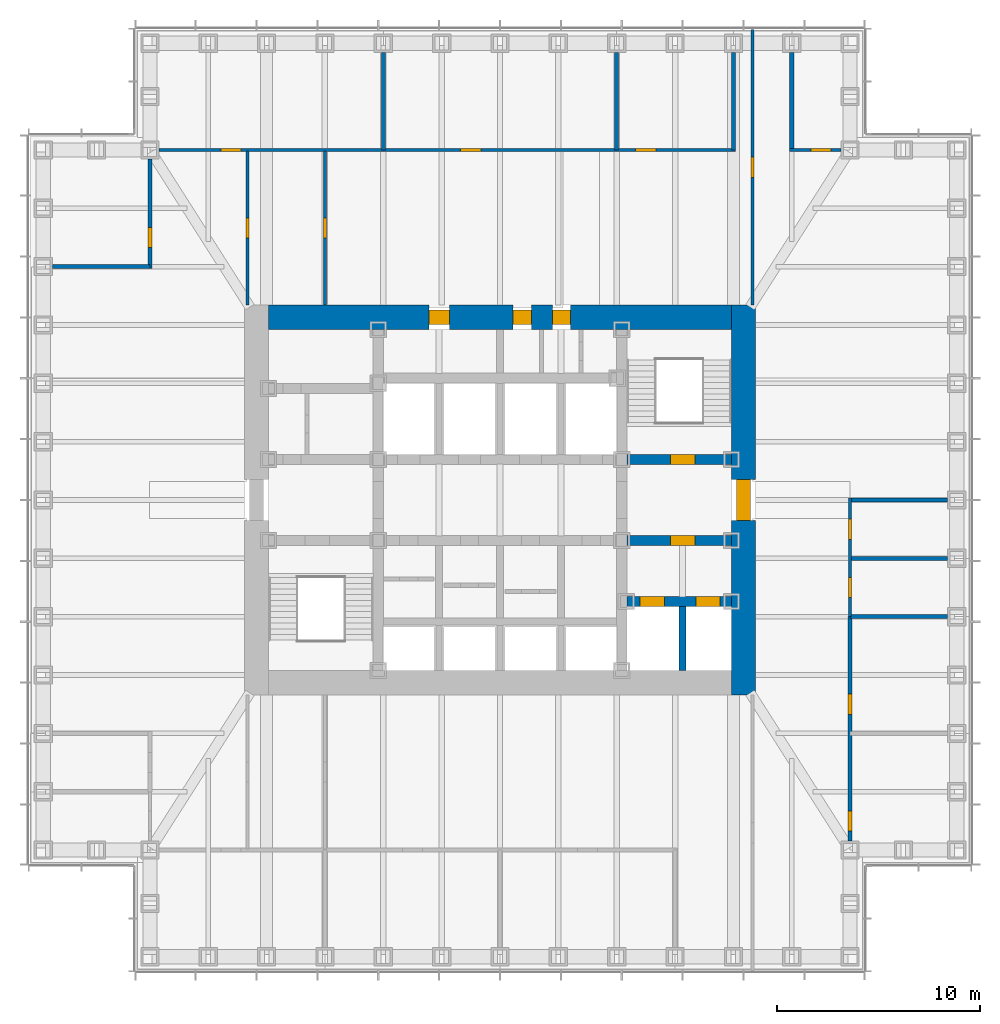
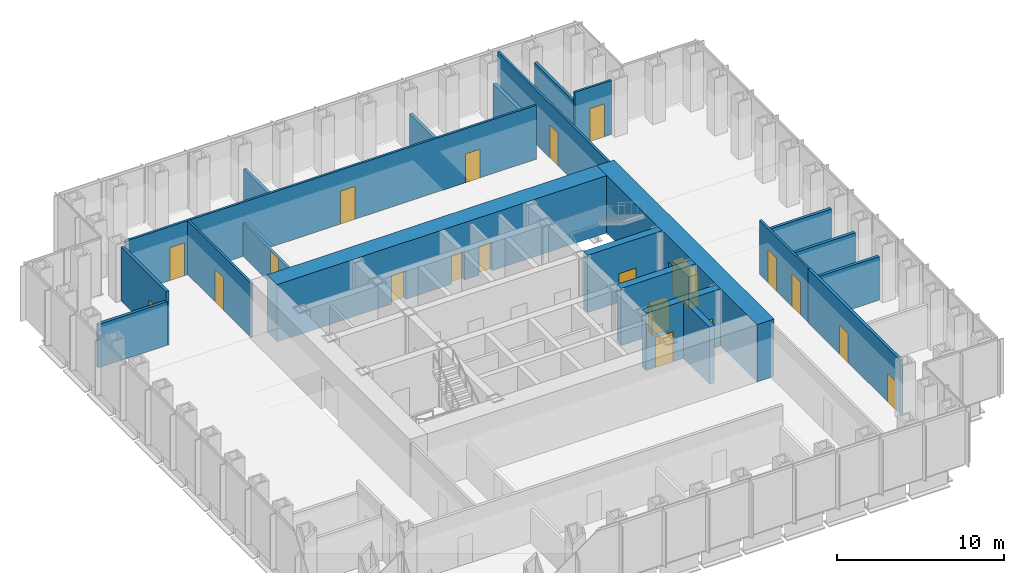
# One storey, part 10 of 17: 22 walls, 20 doors, 20 openings.
"""IFC4 building model written with IfcOpenShell, lengths in metres."""

from ifc_helpers import new_model, si_unit, direction, frame, frame_2d, origin, place, context, subcontext, project, spatial, rectangle, extrude, material, layer, layer_set, type_object, element, fill, save


model = new_model("IFC4")

# Units and contexts
model_context = context("Model", 3, precision=1e-05, world=origin(), true_north=direction((0.0, 1.0)))
body_context = subcontext(model_context, "Body", "Model", "MODEL_VIEW")
ifc_project = project(units=[si_unit("LENGTHUNIT", "METRE"), si_unit("AREAUNIT", "SQUARE_METRE"), si_unit("VOLUMEUNIT", "CUBIC_METRE"), si_unit("PLANEANGLEUNIT", "RADIAN"), si_unit("MASSUNIT", "GRAM", prefix="KILO")], contexts=[model_context])

# Site, building, storey
site_placement = place(None, origin())
site = spatial("IfcSite", under=ifc_project, at=site_placement, CompositionType="ELEMENT")
building_placement = place(site_placement, origin())
building = spatial("IfcBuilding", under=site, at=building_placement, Name="Daluyong Arena Tower", CompositionType="ELEMENT")
storey_placement = place(building_placement, frame((0.0, 0.0, 171.10009765625)))
storey = spatial("IfcBuildingStorey", under=building, at=storey_placement, Name="L38", CompositionType="ELEMENT", Elevation=171.10009765625)

# Wall, openings, doors
ifc_material_1 = material(Name="Concrete fc' 45 MPa", Category="concrete")
ifc_layer_1 = layer(ifc_material_1, 0.5)
ifc_layer_set_1 = layer_set([ifc_layer_1], Name="Concrete fc' 45 MPa")
wall_type_1 = type_object("IfcWallType", Name="Core inner wall 500", PredefinedType="SHEAR", material=ifc_layer_set_1)
wall_1_placement = place(storey_placement, frame((62.25, 75.0, 0.0), z_axis=(0.0, 0.0, 1.0), x_axis=(1.0, 0.0, 0.0)))
wall_1 = element("IfcWall", 1, at=wall_1_placement, inside=storey, type_object=wall_type_1, Name="core inner wall at L38", PredefinedType="SHEAR", context=body_context, shape_type="SweptSolid", body=[
    extrude(rectangle(XDim=5.14990234375, YDim=0.5, at=frame_2d((2.574951171875, 0.0))), origin(), (0.0, 0.0, 1.0), 4.199951171875),
])
opening_1_placement = place(wall_1_placement, frame((0.64990234375, 0.0, 0.0)))
opening_1 = element("IfcOpeningElement", 2, at=opening_1_placement, cuts=wall_1, Name="Opening 38026", PredefinedType="OPENING", context=body_context, shape_type="SweptSolid", body=[
    extrude(rectangle(XDim=1.199951171875, YDim=2.199951171875, at=frame_2d((0.60009765625, 1.10009765625))), frame((0.0, 0.260009765625, 0.0), z_axis=(0.0, -1.0, 0.0), x_axis=(1.0, 0.0, 0.0)), (0.0, 0.0, 1.0), 0.52001953125),
])
opening_2_placement = place(wall_1_placement, frame((3.39990234375, 0.0, 0.0)))
opening_2 = element("IfcOpeningElement", 3, at=opening_2_placement, cuts=wall_1, Name="Opening 38027", PredefinedType="OPENING", context=body_context, shape_type="SweptSolid", body=[
    extrude(rectangle(XDim=1.199951171875, YDim=2.199951171875, at=frame_2d((0.60009765625, 1.10009765625))), frame((0.0, 0.260009765625, 0.0), z_axis=(0.0, -1.0, 0.0), x_axis=(1.0, 0.0, 0.0)), (0.0, 0.0, 1.0), 0.52001953125),
])
ifc_material_2 = material(Name="Steel door, fire rated", Category="steel")
door_type_1 = type_object("IfcDoorType", Name="Firefighting lift landing door 1200", OperationType="SLIDING_TO_LEFT", PredefinedType="DOOR", material=ifc_material_2)
door_1_placement = place(opening_1_placement, origin())
door_1 = element("IfcDoor", 4, at=door_1_placement, inside=storey, type_object=door_type_1, Name="firefighting lift landing door F1 38026", OperationType="SLIDING_TO_LEFT", OverallHeight=2.199951171875, OverallWidth=1.199951171875, PredefinedType="DOOR", context=body_context, shape_type="SweptSolid", body=[
    extrude(rectangle(XDim=1.199951171875, YDim=2.199951171875, at=frame_2d((0.60009765625, 1.10009765625))), frame((0.0, 0.249755859375, 0.0), z_axis=(0.0, -1.0, 0.0), x_axis=(1.0, 0.0, 0.0)), (0.0, 0.0, 1.0), 0.49951171875),
])
fill(opening_1, door_1)
door_2_placement = place(opening_2_placement, origin())
door_2 = element("IfcDoor", 5, at=door_2_placement, inside=storey, type_object=door_type_1, Name="firefighting lift landing door F2 38027", OperationType="SLIDING_TO_LEFT", OverallHeight=2.199951171875, OverallWidth=1.199951171875, PredefinedType="DOOR", context=body_context, shape_type="SweptSolid", body=[
    extrude(rectangle(XDim=1.199951171875, YDim=2.199951171875, at=frame_2d((0.60009765625, 1.10009765625))), frame((0.0, 0.249755859375, 0.0), z_axis=(0.0, -1.0, 0.0), x_axis=(1.0, 0.0, 0.0)), (0.0, 0.0, 1.0), 0.49951171875),
])
fill(opening_2, door_2)

# Wall, opening, door
wall_2_placement = place(storey_placement, frame((62.25, 78.0, 0.0), z_axis=(0.0, 0.0, 1.0), x_axis=(1.0, 0.0, 0.0)))
wall_2 = element("IfcWall", 6, at=wall_2_placement, inside=storey, type_object=wall_type_1, Name="core inner wall at L38", PredefinedType="SHEAR", context=body_context, shape_type="SweptSolid", body=[
    extrude(rectangle(XDim=5.14990234375, YDim=0.5, at=frame_2d((2.574951171875, 0.0))), origin(), (0.0, 0.0, 1.0), 4.199951171875),
])
opening_3_placement = place(wall_2_placement, frame((2.14990234375, 0.0, 0.0)))
opening_3 = element("IfcOpeningElement", 7, at=opening_3_placement, cuts=wall_2, Name="Opening 38021", PredefinedType="OPENING", context=body_context, shape_type="SweptSolid", body=[
    extrude(rectangle(XDim=1.199951171875, YDim=2.10009765625, at=frame_2d((0.60009765625, 1.050048828125))), frame((0.0, 0.260009765625, 0.0), z_axis=(0.0, -1.0, 0.0), x_axis=(1.0, 0.0, 0.0)), (0.0, 0.0, 1.0), 0.52001953125),
])
ifc_material_3 = material(Name="Steel door, fire rated", Category="steel")
door_type_2 = type_object("IfcDoorType", Name="Firefighting lobby door 1200", OperationType="SINGLE_SWING_RIGHT", PredefinedType="DOOR", material=ifc_material_3)
door_3_placement = place(opening_3_placement, origin())
door_3 = element("IfcDoor", 8, at=door_3_placement, inside=storey, type_object=door_type_2, Name="firefighting lobby door 38021", OperationType="SINGLE_SWING_RIGHT", OverallHeight=2.10009765625, OverallWidth=1.199951171875, PredefinedType="DOOR", context=body_context, shape_type="SweptSolid", body=[
    extrude(rectangle(XDim=1.199951171875, YDim=2.10009765625, at=frame_2d((0.60009765625, 1.050048828125))), frame((0.0, 0.249755859375, 0.0), z_axis=(0.0, -1.0, 0.0), x_axis=(1.0, 0.0, 0.0)), (0.0, 0.0, 1.0), 0.49951171875),
])
fill(opening_3, door_3)

wall_3_placement = place(storey_placement, frame((62.25, 82.0, 0.0), z_axis=(0.0, 0.0, 1.0), x_axis=(1.0, 0.0, 0.0)))
wall_3 = element("IfcWall", 9, at=wall_3_placement, inside=storey, type_object=wall_type_1, Name="core inner wall at L38", PredefinedType="SHEAR", context=body_context, shape_type="SweptSolid", body=[
    extrude(rectangle(XDim=5.14990234375, YDim=0.5, at=frame_2d((2.574951171875, 0.0))), origin(), (0.0, 0.0, 1.0), 4.199951171875),
])
opening_4_placement = place(wall_3_placement, frame((2.14990234375, 0.0, 0.0)))
opening_4 = element("IfcOpeningElement", 10, at=opening_4_placement, cuts=wall_3, Name="Opening 38016", PredefinedType="OPENING", context=body_context, shape_type="SweptSolid", body=[
    extrude(rectangle(XDim=1.199951171875, YDim=2.10009765625, at=frame_2d((0.60009765625, 1.050048828125))), frame((0.0, 0.260009765625, 0.0), z_axis=(0.0, -1.0, 0.0), x_axis=(1.0, 0.0, 0.0)), (0.0, 0.0, 1.0), 0.52001953125),
])
ifc_material_4 = material(Name="Steel door, fire rated", Category="steel")
door_type_3 = type_object("IfcDoorType", Name="Stair door 1200", OperationType="SINGLE_SWING_LEFT", PredefinedType="DOOR", material=ifc_material_4)
door_4_placement = place(opening_4_placement, origin())
door_4 = element("IfcDoor", 11, at=door_4_placement, inside=storey, type_object=door_type_3, Name="stair B door 38016", OperationType="SINGLE_SWING_LEFT", OverallHeight=2.10009765625, OverallWidth=1.199951171875, PredefinedType="DOOR", context=body_context, shape_type="SweptSolid", body=[
    extrude(rectangle(XDim=1.199951171875, YDim=2.10009765625, at=frame_2d((0.60009765625, 1.050048828125))), frame((0.0, 0.249755859375, 0.0), z_axis=(0.0, -1.0, 0.0), x_axis=(1.0, 0.0, 0.0)), (0.0, 0.0, 1.0), 0.49951171875),
])
fill(opening_4, door_4)

ifc_material_5 = material(Name="Concrete fc' 60 MPa", Category="concrete")
ifc_layer_2 = layer(ifc_material_5, 1.199951171875)
ifc_layer_set_2 = layer_set([ifc_layer_2], Name="Concrete fc' 60 MPa")
wall_type_2 = type_object("IfcWallType", Name="Core wall 1200", PredefinedType="SHEAR", material=ifc_layer_set_2)
wall_4_placement = place(storey_placement, frame((68.0, 70.39990234375, 0.0), z_axis=(0.0, 0.0, 1.0), x_axis=(0.0, 1.0, 0.0)))
wall_4 = element("IfcWall", 12, at=wall_4_placement, inside=storey, type_object=wall_type_2, Name="core wall at L38", PredefinedType="SHEAR", context=body_context, shape_type="SweptSolid", body=[
    extrude(rectangle(XDim=19.2001953125, YDim=1.199951171875, at=frame_2d((9.60009765625, 0.0))), origin(), (0.0, 0.0, 1.0), 4.199951171875),
])
opening_5_placement = place(wall_4_placement, frame((8.60009765625, 0.0, 0.0)))
opening_5 = element("IfcOpeningElement", 13, at=opening_5_placement, cuts=wall_4, Name="Opening 38018", PredefinedType="OPENING", context=body_context, shape_type="SweptSolid", body=[
    extrude(rectangle(XDim=2.0, YDim=2.39990234375, at=frame_2d((1.0, 1.199951171875))), frame((0.0, 0.60986328125, 0.0), z_axis=(0.0, -1.0, 0.0), x_axis=(1.0, 0.0, 0.0)), (0.0, 0.0, 1.0), 1.219970703125),
])
ifc_material_6 = material(Name="Steel door, fire rated", Category="steel")
door_type_4 = type_object("IfcDoorType", Name="Core lobby double door 2000", OperationType="DOUBLE_DOOR_SINGLE_SWING", PredefinedType="DOOR", material=ifc_material_6)
door_5_placement = place(opening_5_placement, origin())
door_5 = element("IfcDoor", 14, at=door_5_placement, inside=storey, type_object=door_type_4, Name="core lobby door east 38018", OperationType="DOUBLE_DOOR_SINGLE_SWING", OverallHeight=2.39990234375, OverallWidth=2.0, PredefinedType="DOOR", context=body_context, shape_type="SweptSolid", body=[
    extrude(rectangle(XDim=2.0, YDim=2.39990234375, at=frame_2d((1.0, 1.199951171875))), frame((0.0, 0.35009765625, 0.0), z_axis=(0.0, -1.0, 0.0), x_axis=(1.0, 0.0, 0.0)), (0.0, 0.0, 1.0), 0.699951171875),
])
fill(opening_5, door_5)

# Wall, openings, doors
wall_5_placement = place(storey_placement, frame((44.60009765625, 89.0, 0.0), z_axis=(0.0, 0.0, 1.0), x_axis=(1.0, 0.0, 0.0)))
wall_5 = element("IfcWall", 15, at=wall_5_placement, inside=storey, type_object=wall_type_2, Name="core wall at L38", PredefinedType="SHEAR", context=body_context, shape_type="SweptSolid", body=[
    extrude(rectangle(XDim=22.7998046875, YDim=1.199951171875, at=frame_2d((11.39990234375, 0.0))), origin(), (0.0, 0.0, 1.0), 4.199951171875),
])
opening_6_placement = place(wall_5_placement, frame((7.89990234375, 0.0, 0.0)))
opening_6 = element("IfcOpeningElement", 16, at=opening_6_placement, cuts=wall_5, Name="Opening 38004", PredefinedType="OPENING", context=body_context, shape_type="SweptSolid", body=[
    extrude(rectangle(XDim=1.0, YDim=2.10009765625, at=frame_2d((0.5, 1.050048828125))), frame((0.0, 0.60986328125, 0.0), z_axis=(0.0, -1.0, 0.0), x_axis=(1.0, 0.0, 0.0)), (0.0, 0.0, 1.0), 1.219970703125),
])
opening_7_placement = place(wall_5_placement, frame((12.050048828125, 0.0, 0.0)))
opening_7 = element("IfcOpeningElement", 17, at=opening_7_placement, cuts=wall_5, Name="Opening 38005", PredefinedType="OPENING", context=body_context, shape_type="SweptSolid", body=[
    extrude(rectangle(XDim=0.89990234375, YDim=2.10009765625, at=frame_2d((0.449951171875, 1.050048828125))), frame((0.0, 0.60986328125, 0.0), z_axis=(0.0, -1.0, 0.0), x_axis=(1.0, 0.0, 0.0)), (0.0, 0.0, 1.0), 1.219970703125),
])
opening_8_placement = place(wall_5_placement, frame((13.97509765625, 0.0, 0.0)))
opening_8 = element("IfcOpeningElement", 18, at=opening_8_placement, cuts=wall_5, Name="Opening 38006", PredefinedType="OPENING", context=body_context, shape_type="SweptSolid", body=[
    extrude(rectangle(XDim=0.89990234375, YDim=2.10009765625, at=frame_2d((0.449951171875, 1.050048828125))), frame((0.0, 0.60986328125, 0.0), z_axis=(0.0, -1.0, 0.0), x_axis=(1.0, 0.0, 0.0)), (0.0, 0.0, 1.0), 1.219970703125),
])
ifc_material_7 = material(Name="Timber door", Category="wood")
door_type_5 = type_object("IfcDoorType", Name="Accessible toilet door 1000", OperationType="SINGLE_SWING_LEFT", PredefinedType="DOOR", material=ifc_material_7)
door_6_placement = place(opening_6_placement, origin())
door_6 = element("IfcDoor", 19, at=door_6_placement, inside=storey, type_object=door_type_5, Name="accessible toilet door 38004", OperationType="SINGLE_SWING_LEFT", OverallHeight=2.10009765625, OverallWidth=1.0, PredefinedType="DOOR", context=body_context, shape_type="SweptSolid", body=[
    extrude(rectangle(XDim=1.0, YDim=2.10009765625, at=frame_2d((0.5, 1.050048828125))), frame((0.0, 0.35009765625, 0.0), z_axis=(0.0, -1.0, 0.0), x_axis=(1.0, 0.0, 0.0)), (0.0, 0.0, 1.0), 0.699951171875),
])
fill(opening_6, door_6)
ifc_material_8 = material(Name="Steel door, fire rated", Category="steel")
door_type_6 = type_object("IfcDoorType", Name="Core room door 900", OperationType="SINGLE_SWING_LEFT", PredefinedType="DOOR", material=ifc_material_8)
door_7_placement = place(opening_8_placement, origin())
door_7 = element("IfcDoor", 20, at=door_7_placement, inside=storey, type_object=door_type_6, Name="parcel room door 38006", OperationType="SINGLE_SWING_LEFT", OverallHeight=2.10009765625, OverallWidth=0.89990234375, PredefinedType="DOOR", context=body_context, shape_type="SweptSolid", body=[
    extrude(rectangle(XDim=0.89990234375, YDim=2.10009765625, at=frame_2d((0.449951171875, 1.050048828125))), frame((0.0, 0.35009765625, 0.0), z_axis=(0.0, -1.0, 0.0), x_axis=(1.0, 0.0, 0.0)), (0.0, 0.0, 1.0), 0.699951171875),
])
fill(opening_8, door_7)
ifc_material_9 = material(Name="Steel door, fire rated", Category="steel")
door_type_7 = type_object("IfcDoorType", Name="Core store door 900", OperationType="SINGLE_SWING_LEFT", PredefinedType="DOOR", material=ifc_material_9)
door_8_placement = place(opening_7_placement, origin())
door_8 = element("IfcDoor", 21, at=door_8_placement, inside=storey, type_object=door_type_7, Name="facilities store door 38005", OperationType="SINGLE_SWING_LEFT", OverallHeight=2.10009765625, OverallWidth=0.89990234375, PredefinedType="DOOR", context=body_context, shape_type="SweptSolid", body=[
    extrude(rectangle(XDim=0.89990234375, YDim=2.10009765625, at=frame_2d((0.449951171875, 1.050048828125))), frame((0.0, 0.35009765625, 0.0), z_axis=(0.0, -1.0, 0.0), x_axis=(1.0, 0.0, 0.0)), (0.0, 0.0, 1.0), 0.699951171875),
])
fill(opening_7, door_8)

ifc_material_10 = material(Name="Glazed aluminium partition", Category="aluminium")
ifc_layer_3 = layer(ifc_material_10, 0.14990234375)
ifc_layer_set_3 = layer_set([ifc_layer_3], Name="Glazed aluminium partition")
wall_type_3 = type_object("IfcWallType", Name="Glazed partition 150", PredefinedType="PARTITIONING", material=ifc_layer_set_3)
wall_6_placement = place(storey_placement, frame((39.199951171875, 97.25, 0.0), z_axis=(0.0, 0.0, 1.0), x_axis=(1.0, 0.0, 0.0)))
wall_6 = element("IfcWall", 22, at=wall_6_placement, inside=storey, type_object=wall_type_3, Name="glazed partition at L38", PredefinedType="PARTITIONING", context=body_context, shape_type="SweptSolid", body=[
    extrude(rectangle(XDim=28.400146484375, YDim=0.14990234375, at=frame_2d((14.2001953125, 0.0))), origin(), (0.0, 0.0, 1.0), 3.949951171875),
])
opening_9_placement = place(wall_6_placement, frame((3.050048828125, 0.0, 0.0)))
opening_9 = element("IfcOpeningElement", 23, at=opening_9_placement, cuts=wall_6, Name="Opening 38035", PredefinedType="OPENING", context=body_context, shape_type="SweptSolid", body=[
    extrude(rectangle(XDim=1.0, YDim=2.39990234375, at=frame_2d((0.5, 1.199951171875))), frame((0.0, 0.0849609375, 0.0), z_axis=(0.0, -1.0, 0.0), x_axis=(1.0, 0.0, 0.0)), (0.0, 0.0, 1.0), 0.169921875),
])
opening_10_placement = place(wall_6_placement, frame((14.862548828125, 0.0, 0.0)))
opening_10 = element("IfcOpeningElement", 24, at=opening_10_placement, cuts=wall_6, Name="Opening 38036", PredefinedType="OPENING", context=body_context, shape_type="SweptSolid", body=[
    extrude(rectangle(XDim=1.0, YDim=2.39990234375, at=frame_2d((0.5, 1.199951171875))), frame((0.0, 0.0849609375, 0.0), z_axis=(0.0, -1.0, 0.0), x_axis=(1.0, 0.0, 0.0)), (0.0, 0.0, 1.0), 0.169921875),
])
opening_11_placement = place(wall_6_placement, frame((23.487548828125, 0.0, 0.0)))
opening_11 = element("IfcOpeningElement", 25, at=opening_11_placement, cuts=wall_6, Name="Opening 38037", PredefinedType="OPENING", context=body_context, shape_type="SweptSolid", body=[
    extrude(rectangle(XDim=1.0, YDim=2.10009765625, at=frame_2d((0.5, 1.050048828125))), frame((0.0, 0.0849609375, 0.0), z_axis=(0.0, -1.0, 0.0), x_axis=(1.0, 0.0, 0.0)), (0.0, 0.0, 1.0), 0.169921875),
])
ifc_material_11 = material(Name="Glazed aluminium door", Category="aluminium")
door_type_8 = type_object("IfcDoorType", Name="Meeting room glazed door 1000", OperationType="SINGLE_SWING_RIGHT", PredefinedType="DOOR", material=ifc_material_11)
door_9_placement = place(opening_9_placement, origin())
door_9 = element("IfcDoor", 26, at=door_9_placement, inside=storey, type_object=door_type_8, Name="business lounge door 38035", OperationType="SINGLE_SWING_RIGHT", OverallHeight=2.39990234375, OverallWidth=1.0, PredefinedType="DOOR", context=body_context, shape_type="SweptSolid", body=[
    extrude(rectangle(XDim=1.0, YDim=2.39990234375, at=frame_2d((0.5, 1.199951171875))), frame((0.0, 0.07470703125, 0.0), z_axis=(0.0, -1.0, 0.0), x_axis=(1.0, 0.0, 0.0)), (0.0, 0.0, 1.0), 0.1494140625),
])
fill(opening_9, door_9)
door_10_placement = place(opening_10_placement, origin())
door_10 = element("IfcDoor", 27, at=door_10_placement, inside=storey, type_object=door_type_8, Name="boardroom door 38036", OperationType="SINGLE_SWING_RIGHT", OverallHeight=2.39990234375, OverallWidth=1.0, PredefinedType="DOOR", context=body_context, shape_type="SweptSolid", body=[
    extrude(rectangle(XDim=1.0, YDim=2.39990234375, at=frame_2d((0.5, 1.199951171875))), frame((0.0, 0.07470703125, 0.0), z_axis=(0.0, -1.0, 0.0), x_axis=(1.0, 0.0, 0.0)), (0.0, 0.0, 1.0), 0.1494140625),
])
fill(opening_10, door_10)
ifc_material_12 = material(Name="Timber door", Category="wood")
door_type_9 = type_object("IfcDoorType", Name="Room door 1000", OperationType="SINGLE_SWING_LEFT", PredefinedType="DOOR", material=ifc_material_12)
door_11_placement = place(opening_11_placement, origin())
door_11 = element("IfcDoor", 28, at=door_11_placement, inside=storey, type_object=door_type_9, Name="office door 38037", OperationType="SINGLE_SWING_LEFT", OverallHeight=2.10009765625, OverallWidth=1.0, PredefinedType="DOOR", context=body_context, shape_type="SweptSolid", body=[
    extrude(rectangle(XDim=1.0, YDim=2.10009765625, at=frame_2d((0.5, 1.050048828125))), frame((0.0, 0.07470703125, 0.0), z_axis=(0.0, -1.0, 0.0), x_axis=(1.0, 0.0, 0.0)), (0.0, 0.0, 1.0), 0.1494140625),
])
fill(opening_11, door_11)

# Wall, opening, door
wall_7_placement = place(storey_placement, frame((70.27490234375, 97.25, 0.0), z_axis=(0.0, 0.0, 1.0), x_axis=(1.0, 0.0, 0.0)))
wall_7 = element("IfcWall", 29, at=wall_7_placement, inside=storey, type_object=wall_type_3, Name="glazed partition at L38", PredefinedType="PARTITIONING", context=body_context, shape_type="SweptSolid", body=[
    extrude(rectangle(XDim=2.525146484375, YDim=0.14990234375, at=frame_2d((1.2626953125, 0.0))), origin(), (0.0, 0.0, 1.0), 3.949951171875),
])
opening_12_placement = place(wall_7_placement, frame((1.03759765625, 0.0, 0.0)))
opening_12 = element("IfcOpeningElement", 30, at=opening_12_placement, cuts=wall_7, Name="Opening 38038", PredefinedType="OPENING", context=body_context, shape_type="SweptSolid", body=[
    extrude(rectangle(XDim=1.0, YDim=2.39990234375, at=frame_2d((0.5, 1.199951171875))), frame((0.0, 0.0849609375, 0.0), z_axis=(0.0, -1.0, 0.0), x_axis=(1.0, 0.0, 0.0)), (0.0, 0.0, 1.0), 0.169921875),
])
door_12_placement = place(opening_12_placement, origin())
door_12 = element("IfcDoor", 31, at=door_12_placement, inside=storey, type_object=door_type_8, Name="meeting room door 38038", OperationType="SINGLE_SWING_RIGHT", OverallHeight=2.39990234375, OverallWidth=1.0, PredefinedType="DOOR", context=body_context, shape_type="SweptSolid", body=[
    extrude(rectangle(XDim=1.0, YDim=2.39990234375, at=frame_2d((0.5, 1.199951171875))), frame((0.0, 0.07470703125, 0.0), z_axis=(0.0, -1.0, 0.0), x_axis=(1.0, 0.0, 0.0)), (0.0, 0.0, 1.0), 0.1494140625),
])
fill(opening_12, door_12)

wall_8_placement = place(storey_placement, frame((43.550048828125, 89.60009765625, 0.0), z_axis=(0.0, 0.0, 1.0), x_axis=(0.0, 1.0, 0.0)))
wall_8 = element("IfcWall", 32, at=wall_8_placement, inside=storey, type_object=wall_type_3, Name="glazed partition at L38", PredefinedType="PARTITIONING", context=body_context, shape_type="SweptSolid", body=[
    extrude(rectangle(XDim=7.599853515625, YDim=0.14990234375, at=frame_2d((3.7998046875, 0.0))), origin(), (0.0, 0.0, 1.0), 3.949951171875),
])
opening_13_placement = place(wall_8_placement, frame((3.300048828125, 0.0, 0.0)))
opening_13 = element("IfcOpeningElement", 33, at=opening_13_placement, cuts=wall_8, Name="Opening 38044", PredefinedType="OPENING", context=body_context, shape_type="SweptSolid", body=[
    extrude(rectangle(XDim=1.0, YDim=2.39990234375, at=frame_2d((0.5, 1.199951171875))), frame((0.0, 0.0849609375, 0.0), z_axis=(0.0, -1.0, 0.0), x_axis=(1.0, 0.0, 0.0)), (0.0, 0.0, 1.0), 0.169921875),
])
door_13_placement = place(opening_13_placement, origin())
door_13 = element("IfcDoor", 34, at=door_13_placement, inside=storey, type_object=door_type_8, Name="team area screen door 38044", OperationType="SINGLE_SWING_RIGHT", OverallHeight=2.39990234375, OverallWidth=1.0, PredefinedType="DOOR", context=body_context, shape_type="SweptSolid", body=[
    extrude(rectangle(XDim=1.0, YDim=2.39990234375, at=frame_2d((0.5, 1.199951171875))), frame((0.0, 0.07470703125, 0.0), z_axis=(0.0, -1.0, 0.0), x_axis=(1.0, 0.0, 0.0)), (0.0, 0.0, 1.0), 0.1494140625),
])
fill(opening_13, door_13)

wall_9_placement = place(storey_placement, frame((47.375, 89.60009765625, 0.0), z_axis=(0.0, 0.0, 1.0), x_axis=(0.0, 1.0, 0.0)))
wall_9 = element("IfcWall", 35, at=wall_9_placement, inside=storey, type_object=wall_type_3, Name="glazed partition at L38", PredefinedType="PARTITIONING", context=body_context, shape_type="SweptSolid", body=[
    extrude(rectangle(XDim=7.599853515625, YDim=0.14990234375, at=frame_2d((3.7998046875, 0.0))), origin(), (0.0, 0.0, 1.0), 2.449951171875),
])
opening_14_placement = place(wall_9_placement, frame((3.300048828125, 0.0, 0.0)))
opening_14 = element("IfcOpeningElement", 36, at=opening_14_placement, cuts=wall_9, Name="Opening 38047", PredefinedType="OPENING", context=body_context, shape_type="SweptSolid", body=[
    extrude(rectangle(XDim=1.0, YDim=2.39990234375, at=frame_2d((0.5, 1.199951171875))), frame((0.0, 0.0849609375, 0.0), z_axis=(0.0, -1.0, 0.0), x_axis=(1.0, 0.0, 0.0)), (0.0, 0.0, 1.0), 0.169921875),
])
door_14_placement = place(opening_14_placement, origin())
door_14 = element("IfcDoor", 37, at=door_14_placement, inside=storey, type_object=door_type_8, Name="team area screen door 38047", OperationType="SINGLE_SWING_RIGHT", OverallHeight=2.39990234375, OverallWidth=1.0, PredefinedType="DOOR", context=body_context, shape_type="SweptSolid", body=[
    extrude(rectangle(XDim=1.0, YDim=2.39990234375, at=frame_2d((0.5, 1.199951171875))), frame((0.0, 0.07470703125, 0.0), z_axis=(0.0, -1.0, 0.0), x_axis=(1.0, 0.0, 0.0)), (0.0, 0.0, 1.0), 0.1494140625),
])
fill(opening_14, door_14)

wall_10_placement = place(storey_placement, frame((68.449951171875, 89.60009765625, 0.0), z_axis=(0.0, 0.0, 1.0), x_axis=(0.0, 1.0, 0.0)))
wall_10 = element("IfcWall", 38, at=wall_10_placement, inside=storey, type_object=wall_type_3, Name="glazed partition at L38", PredefinedType="PARTITIONING", context=body_context, shape_type="SweptSolid", body=[
    extrude(rectangle(XDim=13.58984375, YDim=0.14990234375, at=frame_2d((6.794921875, 0.0))), origin(), (0.0, 0.0, 1.0), 3.949951171875),
])
opening_15_placement = place(wall_10_placement, frame((6.294921875, 0.0, 0.0)))
opening_15 = element("IfcOpeningElement", 39, at=opening_15_placement, cuts=wall_10, Name="Opening 38045", PredefinedType="OPENING", context=body_context, shape_type="SweptSolid", body=[
    extrude(rectangle(XDim=1.0, YDim=2.39990234375, at=frame_2d((0.5, 1.199951171875))), frame((0.0, 0.0849609375, 0.0), z_axis=(0.0, -1.0, 0.0), x_axis=(1.0, 0.0, 0.0)), (0.0, 0.0, 1.0), 0.169921875),
])
door_15_placement = place(opening_15_placement, origin())
door_15 = element("IfcDoor", 40, at=door_15_placement, inside=storey, type_object=door_type_8, Name="team area screen door 38045", OperationType="SINGLE_SWING_RIGHT", OverallHeight=2.39990234375, OverallWidth=1.0, PredefinedType="DOOR", context=body_context, shape_type="SweptSolid", body=[
    extrude(rectangle(XDim=1.0, YDim=2.39990234375, at=frame_2d((0.5, 1.199951171875))), frame((0.0, 0.07470703125, 0.0), z_axis=(0.0, -1.0, 0.0), x_axis=(1.0, 0.0, 0.0)), (0.0, 0.0, 1.0), 0.1494140625),
])
fill(opening_15, door_15)

# Wall, openings, doors
wall_11_placement = place(storey_placement, frame((73.25, 74.25, 0.0), z_axis=(0.0, 0.0, 1.0), x_axis=(0.0, 1.0, 0.0)))
wall_11 = element("IfcWall", 41, at=wall_11_placement, inside=storey, type_object=wall_type_3, Name="glazed partition at L38", PredefinedType="PARTITIONING", context=body_context, shape_type="SweptSolid", body=[
    extrude(rectangle(XDim=5.85009765625, YDim=0.14990234375, at=frame_2d((2.925048828125, 0.0))), origin(), (0.0, 0.0, 1.0), 3.949951171875),
])
opening_16_placement = place(wall_11_placement, frame((0.9375, 0.0, 0.0)))
opening_16 = element("IfcOpeningElement", 42, at=opening_16_placement, cuts=wall_11, Name="Opening 38033", PredefinedType="OPENING", context=body_context, shape_type="SweptSolid", body=[
    extrude(rectangle(XDim=1.0, YDim=2.39990234375, at=frame_2d((0.5, 1.199951171875))), frame((0.0, 0.0849609375, 0.0), z_axis=(0.0, -1.0, 0.0), x_axis=(1.0, 0.0, 0.0)), (0.0, 0.0, 1.0), 0.169921875),
])
opening_17_placement = place(wall_11_placement, frame((3.8125, 0.0, 0.0)))
opening_17 = element("IfcOpeningElement", 43, at=opening_17_placement, cuts=wall_11, Name="Opening 38034", PredefinedType="OPENING", context=body_context, shape_type="SweptSolid", body=[
    extrude(rectangle(XDim=1.0, YDim=2.39990234375, at=frame_2d((0.5, 1.199951171875))), frame((0.0, 0.0849609375, 0.0), z_axis=(0.0, -1.0, 0.0), x_axis=(1.0, 0.0, 0.0)), (0.0, 0.0, 1.0), 0.169921875),
])
door_16_placement = place(opening_16_placement, origin())
door_16 = element("IfcDoor", 44, at=door_16_placement, inside=storey, type_object=door_type_8, Name="focus room door 38033", OperationType="SINGLE_SWING_RIGHT", OverallHeight=2.39990234375, OverallWidth=1.0, PredefinedType="DOOR", context=body_context, shape_type="SweptSolid", body=[
    extrude(rectangle(XDim=1.0, YDim=2.39990234375, at=frame_2d((0.5, 1.199951171875))), frame((0.0, 0.07470703125, 0.0), z_axis=(0.0, -1.0, 0.0), x_axis=(1.0, 0.0, 0.0)), (0.0, 0.0, 1.0), 0.1494140625),
])
fill(opening_16, door_16)
door_17_placement = place(opening_17_placement, origin())
door_17 = element("IfcDoor", 45, at=door_17_placement, inside=storey, type_object=door_type_8, Name="focus room door 38034", OperationType="SINGLE_SWING_RIGHT", OverallHeight=2.39990234375, OverallWidth=1.0, PredefinedType="DOOR", context=body_context, shape_type="SweptSolid", body=[
    extrude(rectangle(XDim=1.0, YDim=2.39990234375, at=frame_2d((0.5, 1.199951171875))), frame((0.0, 0.07470703125, 0.0), z_axis=(0.0, -1.0, 0.0), x_axis=(1.0, 0.0, 0.0)), (0.0, 0.0, 1.0), 0.1494140625),
])
fill(opening_17, door_17)

# Walls
ifc_material_13 = material(Name="Concrete fc' 45 MPa", Category="concrete")
ifc_layer_4 = layer(ifc_material_13, 0.35009765625)
ifc_layer_set_4 = layer_set([ifc_layer_4], Name="Concrete fc' 45 MPa")
wall_type_4 = type_object("IfcWallType", Name="Lift shaft wall 350", PredefinedType="SHEAR", material=ifc_layer_set_4)
wall_12_placement = place(storey_placement, frame((65.0, 71.60009765625, 0.0), z_axis=(0.0, 0.0, 1.0), x_axis=(0.0, 1.0, 0.0)))
element("IfcWall", 46, at=wall_12_placement, inside=storey, type_object=wall_type_4, Name="lift shaft wall at L38", PredefinedType="SHEAR", context=body_context, shape_type="SweptSolid", body=[
    extrude(rectangle(XDim=3.14990234375, YDim=0.35009765625, at=frame_2d((1.574951171875, 0.0))), origin(), (0.0, 0.0, 1.0), 4.199951171875),
])
ifc_material_14 = material(Name="Concrete block partition", Category="concrete")
ifc_layer_5 = layer(ifc_material_14, 0.199951171875)
ifc_layer_set_5 = layer_set([ifc_layer_5], Name="Concrete block partition")
wall_type_5 = type_object("IfcWallType", Name="Partition 200", PredefinedType="PARTITIONING", material=ifc_layer_set_5)
for number, where, z_axis, x_axis, name in (
    (47, (73.25, 74.25, 0.0), (0.0, 0.0, 1.0), (1.0, 0.0, 0.0), "partition at L38"),
    (48, (73.25, 77.125, 0.0), (0.0, 0.0, 1.0), (1.0, 0.0, 0.0), "partition at L38"),
    (49, (73.25, 80.0, 0.0), (0.0, 0.0, 1.0), (1.0, 0.0, 0.0), "partition at L38"),
):
    element("IfcWall", number, at=place(storey_placement, frame(where, z_axis=z_axis, x_axis=x_axis)), inside=storey, type_object=wall_type_5, Name=name, PredefinedType="PARTITIONING", context=body_context, shape_type="SweptSolid", body=[
        extrude(rectangle(XDim=4.800048828125, YDim=0.199951171875, at=frame_2d((2.39990234375, 0.0))), origin(), (0.0, 0.0, 1.0), 3.18798828125),
    ])
for number, where, z_axis, x_axis, name in (
    (50, (50.25, 97.25, 0.0), (0.0, 0.0, 1.0), (0.0, 1.0, 0.0), "partition at L38"),
    (51, (61.75, 97.25, 0.0), (0.0, 0.0, 1.0), (0.0, 1.0, 0.0), "partition at L38"),
):
    element("IfcWall", number, at=place(storey_placement, frame(where, z_axis=z_axis, x_axis=x_axis)), inside=storey, type_object=wall_type_5, Name=name, PredefinedType="PARTITIONING", context=body_context, shape_type="SweptSolid", body=[
        extrude(rectangle(XDim=4.800048828125, YDim=0.199951171875, at=frame_2d((2.39990234375, 0.0))), origin(), (0.0, 0.0, 1.0), 2.449951171875),
    ])
wall_13_placement = place(storey_placement, frame((67.5, 97.25, 0.0), z_axis=(0.0, 0.0, 1.0), x_axis=(0.0, 1.0, 0.0)))
element("IfcWall", 52, at=wall_13_placement, inside=storey, type_object=wall_type_5, Name="partition at L38", PredefinedType="PARTITIONING", context=body_context, shape_type="SweptSolid", body=[
    extrude(rectangle(XDim=4.800048828125, YDim=0.199951171875, at=frame_2d((2.39990234375, 0.0))), origin(), (0.0, 0.0, 1.0), 2.64990234375),
])
for number, where, z_axis, x_axis, name in (
    (53, (70.375, 97.25, 0.0), (0.0, 0.0, 1.0), (0.0, 1.0, 0.0), "partition at L38"),
    (54, (33.949951171875, 91.5, 0.0), (0.0, 0.0, 1.0), (1.0, 0.0, 0.0), "partition at L38"),
):
    element("IfcWall", number, at=place(storey_placement, frame(where, z_axis=z_axis, x_axis=x_axis)), inside=storey, type_object=wall_type_5, Name=name, PredefinedType="PARTITIONING", context=body_context, shape_type="SweptSolid", body=[
        extrude(rectangle(XDim=4.800048828125, YDim=0.199951171875, at=frame_2d((2.39990234375, 0.0))), origin(), (0.0, 0.0, 1.0), 3.18798828125),
    ])

# Wall, opening, door
wall_14_placement = place(storey_placement, frame((38.75, 91.39990234375, 0.0), z_axis=(0.0, 0.0, 1.0), x_axis=(0.0, 1.0, 0.0)))
wall_14 = element("IfcWall", 55, at=wall_14_placement, inside=storey, type_object=wall_type_5, Name="partition at L38", PredefinedType="PARTITIONING", context=body_context, shape_type="SweptSolid", body=[
    extrude(rectangle(XDim=5.400146484375, YDim=0.199951171875, at=frame_2d((2.7001953125, 0.0))), origin(), (0.0, 0.0, 1.0), 3.949951171875),
])
opening_18_placement = place(wall_14_placement, frame((1.03759765625, 0.0, 0.0)))
opening_18 = element("IfcOpeningElement", 56, at=opening_18_placement, cuts=wall_14, Name="Opening 38041", PredefinedType="OPENING", context=body_context, shape_type="SweptSolid", body=[
    extrude(rectangle(XDim=1.0, YDim=2.10009765625, at=frame_2d((0.5, 1.050048828125))), frame((0.0, 0.10986328125, 0.0), z_axis=(0.0, -1.0, 0.0), x_axis=(1.0, 0.0, 0.0)), (0.0, 0.0, 1.0), 0.219970703125),
])
door_18_placement = place(opening_18_placement, origin())
door_18 = element("IfcDoor", 57, at=door_18_placement, inside=storey, type_object=door_type_9, Name="pantry door 38041", OperationType="SINGLE_SWING_LEFT", OverallHeight=2.10009765625, OverallWidth=1.0, PredefinedType="DOOR", context=body_context, shape_type="SweptSolid", body=[
    extrude(rectangle(XDim=1.0, YDim=2.10009765625, at=frame_2d((0.5, 1.050048828125))), frame((0.0, 0.099609375, 0.0), z_axis=(0.0, -1.0, 0.0), x_axis=(1.0, 0.0, 0.0)), (0.0, 0.0, 1.0), 0.199462890625),
])
fill(opening_18, door_18)

# Wall, openings, doors
wall_15_placement = place(storey_placement, frame((73.25, 63.199951171875, 0.0), z_axis=(0.0, 0.0, 1.0), x_axis=(0.0, 1.0, 0.0)))
wall_15 = element("IfcWall", 58, at=wall_15_placement, inside=storey, type_object=wall_type_5, Name="partition at L38", PredefinedType="PARTITIONING", context=body_context, shape_type="SweptSolid", body=[
    extrude(rectangle(XDim=11.050048828125, YDim=0.199951171875, at=frame_2d((5.52490234375, 0.0))), origin(), (0.0, 0.0, 1.0), 3.949951171875),
])
opening_19_placement = place(wall_15_placement, frame((0.487548828125, 0.0, 0.0)))
opening_19 = element("IfcOpeningElement", 59, at=opening_19_placement, cuts=wall_15, Name="Opening 38031", PredefinedType="OPENING", context=body_context, shape_type="SweptSolid", body=[
    extrude(rectangle(XDim=1.0, YDim=2.10009765625, at=frame_2d((0.5, 1.050048828125))), frame((0.0, 0.10986328125, 0.0), z_axis=(0.0, -1.0, 0.0), x_axis=(1.0, 0.0, 0.0)), (0.0, 0.0, 1.0), 0.219970703125),
])
opening_20_placement = place(wall_15_placement, frame((6.237548828125, 0.0, 0.0)))
opening_20 = element("IfcOpeningElement", 60, at=opening_20_placement, cuts=wall_15, Name="Opening 38032", PredefinedType="OPENING", context=body_context, shape_type="SweptSolid", body=[
    extrude(rectangle(XDim=1.0, YDim=2.10009765625, at=frame_2d((0.5, 1.050048828125))), frame((0.0, 0.10986328125, 0.0), z_axis=(0.0, -1.0, 0.0), x_axis=(1.0, 0.0, 0.0)), (0.0, 0.0, 1.0), 0.219970703125),
])
door_19_placement = place(opening_19_placement, origin())
door_19 = element("IfcDoor", 61, at=door_19_placement, inside=storey, type_object=door_type_9, Name="project room door 38031", OperationType="SINGLE_SWING_LEFT", OverallHeight=2.10009765625, OverallWidth=1.0, PredefinedType="DOOR", context=body_context, shape_type="SweptSolid", body=[
    extrude(rectangle(XDim=1.0, YDim=2.10009765625, at=frame_2d((0.5, 1.050048828125))), frame((0.0, 0.099609375, 0.0), z_axis=(0.0, -1.0, 0.0), x_axis=(1.0, 0.0, 0.0)), (0.0, 0.0, 1.0), 0.199462890625),
])
fill(opening_19, door_19)
door_20_placement = place(opening_20_placement, origin())
door_20 = element("IfcDoor", 62, at=door_20_placement, inside=storey, type_object=door_type_9, Name="project room door 38032", OperationType="SINGLE_SWING_LEFT", OverallHeight=2.10009765625, OverallWidth=1.0, PredefinedType="DOOR", context=body_context, shape_type="SweptSolid", body=[
    extrude(rectangle(XDim=1.0, YDim=2.10009765625, at=frame_2d((0.5, 1.050048828125))), frame((0.0, 0.099609375, 0.0), z_axis=(0.0, -1.0, 0.0), x_axis=(1.0, 0.0, 0.0)), (0.0, 0.0, 1.0), 0.199462890625),
])
fill(opening_20, door_20)

save(model, "model.ifc")
